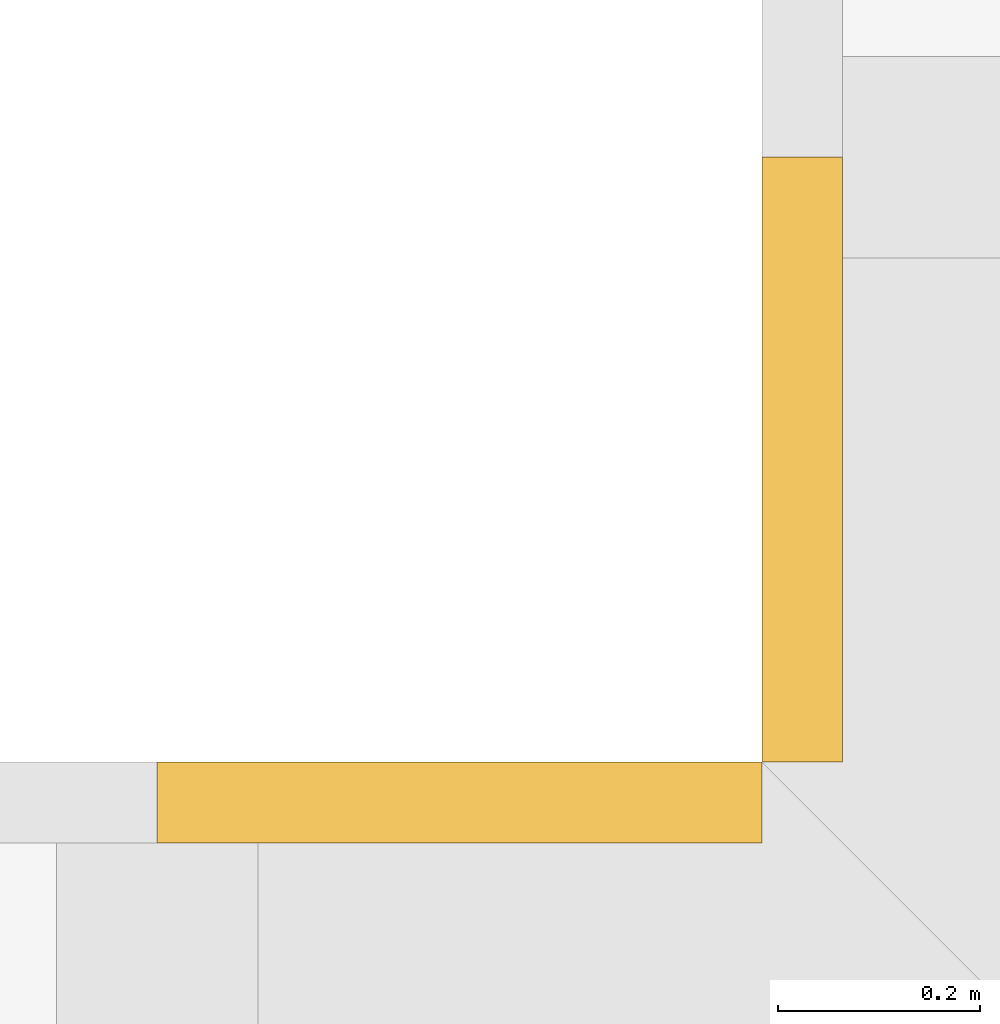
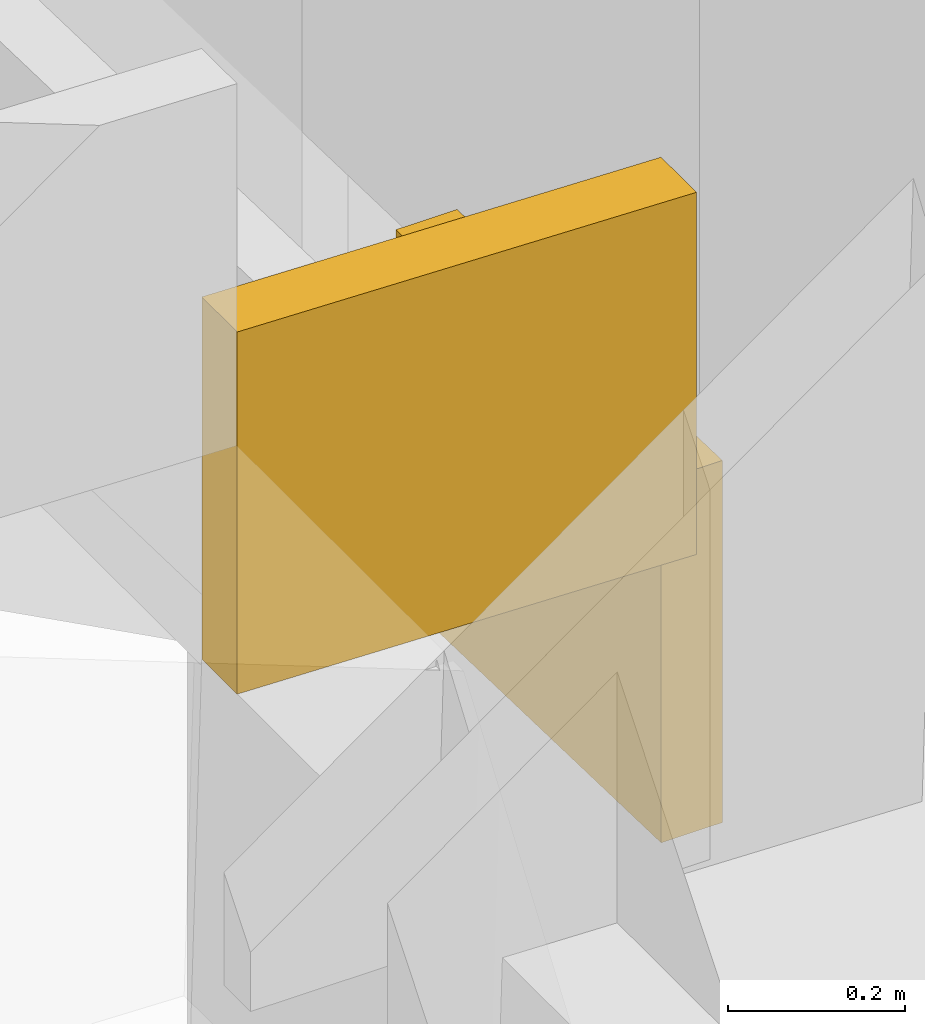
# One storey, part 29 of 30: 2 coverings.
"""IFC4 building model written with IfcOpenShell, lengths in metres."""

from ifc_helpers import new_model, si_unit, direction, frame, origin, place, context, subcontext, project, spatial, polyline, outline, extrude, material, layer, layer_set, type_object, element, save


model = new_model("IFC4")

# Units and contexts
model_context = context("Model", 3, precision=1e-05, world=origin(), true_north=direction((0.0, 1.0)))
body_context = subcontext(model_context, "Body", "Model", "MODEL_VIEW")
ifc_project = project(units=[si_unit("LENGTHUNIT", "METRE"), si_unit("AREAUNIT", "SQUARE_METRE"), si_unit("VOLUMEUNIT", "CUBIC_METRE"), si_unit("PLANEANGLEUNIT", "RADIAN"), si_unit("MASSUNIT", "GRAM", prefix="KILO")], contexts=[model_context])

# Site, building, storey
site_placement = place(None, origin())
site = spatial("IfcSite", under=ifc_project, at=site_placement, CompositionType="ELEMENT")
building_placement = place(site_placement, origin())
building = spatial("IfcBuilding", under=site, at=building_placement, Name="Saffron Gate Tower", CompositionType="ELEMENT")
storey_placement = place(building_placement, frame((0.0, 0.0, 179.85009765625)))
storey = spatial("IfcBuildingStorey", under=building, at=storey_placement, Name="L44", CompositionType="ELEMENT", Elevation=179.85009765625)

# Coverings
ifc_material = material(Name="Timber, thermally modified ash", Category="wood")
ifc_layer = layer(ifc_material, 0.080078125)
ifc_layer_set = layer_set([ifc_layer], Name="LD2 ledge planter trough")
covering_type = type_object("IfcCoveringType", Name="LD2 ledge planter trough", PredefinedType="CLADDING", material=ifc_layer_set)
covering_1_placement = place(storey_placement, frame((50.39990234375, 73.800048828125, 2.394775390625), z_axis=(-1.0, 0.0, 0.0), x_axis=(0.0, -0.999583081391, 0.028873229772)))
element("IfcCovering", 1, at=covering_1_placement, inside=storey, type_object=covering_type, Name="LEDGE planter trough", PredefinedType="CLADDING", context=body_context, shape_type="SweptSolid", body=[
    extrude(outline(polyline([(0.0, 0.0), (0.6003479524834376, -3.469446951953614e-18), (0.6147845673692678, 0.4997915406953566), (0.014436614885830073, 0.4997915406953566), (0.0, 0.0)])), origin(), (0.0, 0.0, -1.0), 0.080078125),
])
covering_2_placement = place(storey_placement, frame((50.39990234375, 73.199951171875, 2.85888671875), z_axis=(0.0, 1.0, 0.0), x_axis=(-0.999594406032, 0.0, 0.028478473106)))
element("IfcCovering", 2, at=covering_2_placement, inside=storey, type_object=covering_type, Name="LEDGE planter trough", PredefinedType="CLADDING", context=body_context, shape_type="SweptSolid", body=[
    extrude(outline(polyline([(0.0, 0.0), (0.6000969113127241, 0.0), (0.6143361478658799, 0.49979720301576647), (0.01423923655315574, 0.49979720301576647), (0.0, 0.0)])), origin(), (0.0, 0.0, -1.0), 0.080078125),
])

save(model, "model.ifc")
